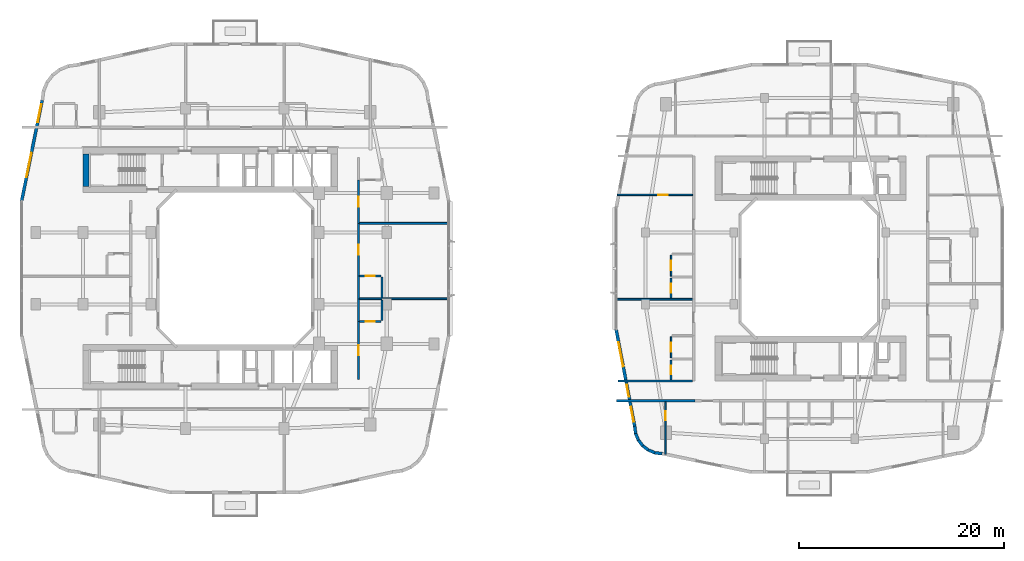
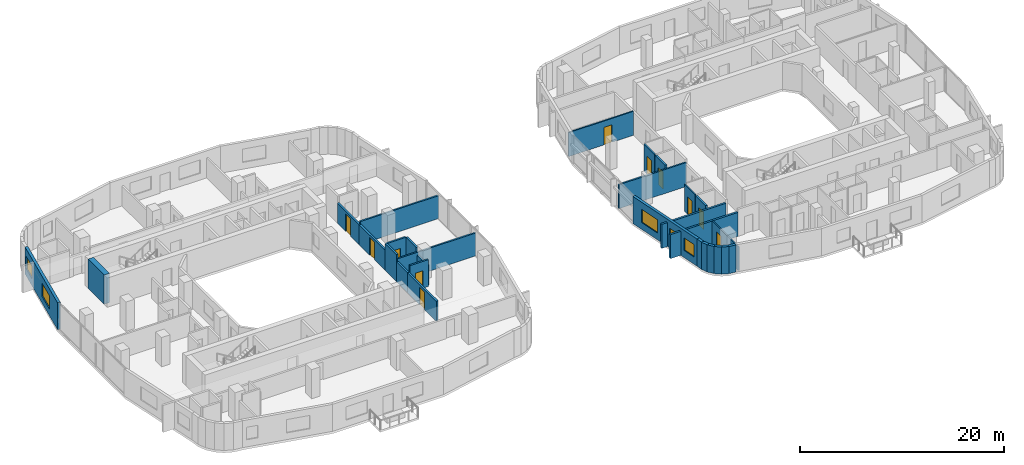
# One storey, part 10 of 22: 29 walls, 11 doors, 5 windows, 16 openings.
"""IFC4 building model written with IfcOpenShell, lengths in metres."""

from ifc_helpers import new_model, si_unit, derived_unit, direction, frame, frame_2d, origin, place, context, subcontext, project, spatial, rectangle, extrude, material, layer, layer_set, type_object, element, fill, save


model = new_model("IFC4")

# Units and contexts
model_context = context("Model", 3, precision=1e-05, world=origin(), true_north=direction((0.0, 1.0)))
body_context = subcontext(model_context, "Body", "Model", "MODEL_VIEW")
ifc_project = project(units=[si_unit("LENGTHUNIT", "METRE"), si_unit("AREAUNIT", "SQUARE_METRE"), si_unit("VOLUMEUNIT", "CUBIC_METRE"), si_unit("PLANEANGLEUNIT", "RADIAN"), si_unit("MASSUNIT", "GRAM", prefix="KILO"), derived_unit("THERMALTRANSMITTANCEUNIT", [(si_unit("POWERUNIT", "WATT"), 1), (si_unit("LENGTHUNIT", "METRE"), -2), (si_unit("THERMODYNAMICTEMPERATUREUNIT", "KELVIN"), -1)])], contexts=[model_context])

# Site, building, storey
site_placement = place(None, origin())
site = spatial("IfcSite", under=ifc_project, at=site_placement, CompositionType="ELEMENT")
building_placement = place(site_placement, origin())
building = spatial("IfcBuilding", under=site, at=building_placement, Name="Kivonza Crest Hotel", CompositionType="ELEMENT")
storey_placement = place(building_placement, frame((0.0, 0.0, 27.5)))
storey = spatial("IfcBuildingStorey", under=building, at=storey_placement, Name="L06", CompositionType="ELEMENT", Elevation=27.5)

# Walls
ifc_material_1 = material(Name="High-density acoustic masonry inter-tenancy wall", Category="masonry")
ifc_layer_1 = layer(ifc_material_1, 0.179931640625)
ifc_layer_set_1 = layer_set([ifc_layer_1], Name="High-density acoustic masonry inter-tenancy wall")
wall_type_1 = type_object("IfcWallType", Name="WL-ACOU-180", PredefinedType="SOLIDWALL", material=ifc_layer_set_1)
for number, where, z_axis, x_axis, name in (
    (1, (33.050048828125, 22.0390625, 0.0), (0.0, 0.0, 1.0), (1.0, 0.0, 0.0), "L06 interior partition WA-L06-T1E-DIV1"),
    (2, (33.050048828125, 29.383056640625, 0.0), (0.0, 0.0, 1.0), (1.0, 0.0, 0.0), "L06 interior partition WA-L06-T1E-DIV2"),
):
    element("IfcWall", number, at=place(storey_placement, frame(where, z_axis=z_axis, x_axis=x_axis)), inside=storey, type_object=wall_type_1, Name=name, PredefinedType="SOLIDWALL", context=body_context, shape_type="SweptSolid", body=[
        extrude(rectangle(XDim=8.889892578125, YDim=0.179931640625, at=frame_2d((4.44482421875, 0.0))), origin(), (0.0, 0.0, 1.0), 2.7451171875),
    ])
wall_1_placement = place(storey_placement, frame((58.06005859375, 22.0, 0.0), z_axis=(0.0, 0.0, 1.0), x_axis=(1.0, 0.0, 0.0)))
element("IfcWall", 3, at=wall_1_placement, inside=storey, type_object=wall_type_1, Name="L06 interior partition WA-L06-T2W-DIV1", PredefinedType="SOLIDWALL", context=body_context, shape_type="SweptSolid", body=[
    extrude(rectangle(XDim=7.639892578125, YDim=0.179931640625, at=frame_2d((3.81982421875, 0.0))), origin(), (0.0, 0.0, 1.0), 2.864990234375),
])
ifc_material_2 = material(Name="Autoclaved aerated concrete blockwork", Category="masonry")
ifc_layer_2 = layer(ifc_material_2, 0.219970703125)
ifc_layer_set_2 = layer_set([ifc_layer_2], Name="Autoclaved aerated concrete blockwork")
wall_type_2 = type_object("IfcWallType", Name="WL-ACOU-220", PredefinedType="SOLIDWALL", material=ifc_layer_set_2)
wall_2_placement = place(storey_placement, frame((33.050048828125, 19.839111328125, 0.0), z_axis=(0.0, 0.0, 1.0), x_axis=(0.0, 1.0, 0.0)))
element("IfcWall", 4, at=wall_2_placement, inside=storey, type_object=wall_type_2, Name="L06 interior partition WA-L06-E08-BCORR", PredefinedType="SOLIDWALL", context=body_context, shape_type="SweptSolid", body=[
    extrude(rectangle(XDim=2.199951171875, YDim=0.219970703125, at=frame_2d((1.10009765625, 0.0))), origin(), (0.0, 0.0, 1.0), 2.39501953125),
])

# Wall, opening, door
wall_3_placement = place(storey_placement, frame((33.050048828125, 14.199951171875, 0.0), z_axis=(0.0, 0.0, 1.0), x_axis=(0.0, 1.0, 0.0)))
wall_3 = element("IfcWall", 5, at=wall_3_placement, inside=storey, type_object=wall_type_2, Name="L06 interior partition WA-L06-E08-MCORR", PredefinedType="SOLIDWALL", context=body_context, shape_type="SweptSolid", body=[
    extrude(rectangle(XDim=5.63916015625, YDim=0.219970703125, at=frame_2d((2.819580078125, 0.0))), origin(), (0.0, 0.0, 1.0), 2.39501953125),
])
opening_1_placement = place(wall_3_placement, frame((2.343994140625, 0.0, 0.0)))
opening_1 = element("IfcOpeningElement", 6, at=opening_1_placement, cuts=wall_3, Name="Opening DU-60", PredefinedType="OPENING", context=body_context, shape_type="SweptSolid", body=[
    extrude(rectangle(XDim=0.949951171875, YDim=2.10009765625, at=frame_2d((0.47509765625, 1.050048828125))), frame((0.0, 0.1201171875, 0.0), z_axis=(0.0, -1.0, 0.0), x_axis=(1.0, 0.0, 0.0)), (0.0, 0.0, 1.0), 0.239990234375),
])
ifc_material_3 = material(Name="Hardwood timber oak", Category="wood")
door_type_1 = type_object("IfcDoorType", Name="DR-UNIT-950", OperationType="NOTDEFINED", PredefinedType="DOOR", material=ifc_material_3)
door_1_placement = place(opening_1_placement, frame((0.949951171875, 0.0, 0.0), z_axis=(0.0, 0.0, 1.0), x_axis=(-1.0, 0.0, 0.0)))
door_1 = element("IfcDoor", 7, at=door_1_placement, inside=storey, type_object=door_type_1, Name="L06 E08 guest unit entrance fire door", OperationType="SINGLE_SWING_RIGHT", OverallHeight=2.10009765625, OverallWidth=0.949951171875, PredefinedType="DOOR", context=body_context, shape_type="SweptSolid", body=[
    extrude(rectangle(XDim=0.949951171875, YDim=2.10009765625, at=frame_2d((0.47509765625, 1.050048828125))), frame((0.0, 0.02490234375, 0.0), z_axis=(0.0, -1.0, 0.0), x_axis=(1.0, 0.0, 0.0)), (0.0, 0.0, 1.0), 0.050048828125),
])
fill(opening_1, door_1)

# Wall
wall_4_placement = place(storey_placement, frame((33.050048828125, 22.0390625, 0.0), z_axis=(0.0, 0.0, 1.0), x_axis=(0.0, 1.0, 0.0)))
element("IfcWall", 8, at=wall_4_placement, inside=storey, type_object=wall_type_2, Name="L06 interior partition WA-L06-E09-BCORR", PredefinedType="SOLIDWALL", context=body_context, shape_type="SweptSolid", body=[
    extrude(rectangle(XDim=2.199951171875, YDim=0.219970703125, at=frame_2d((1.10009765625, 0.0))), origin(), (0.0, 0.0, 1.0), 3.219970703125),
])

# Wall, opening, door
wall_5_placement = place(storey_placement, frame((33.050048828125, 24.239013671875, 0.0), z_axis=(0.0, 0.0, 1.0), x_axis=(0.0, 1.0, 0.0)))
wall_5 = element("IfcWall", 9, at=wall_5_placement, inside=storey, type_object=wall_type_2, Name="L06 interior partition WA-L06-E09-MCORR", PredefinedType="SOLIDWALL", context=body_context, shape_type="SweptSolid", body=[
    extrude(rectangle(XDim=5.14404296875, YDim=0.219970703125, at=frame_2d((2.572021484375, 0.0))), origin(), (0.0, 0.0, 1.0), 2.39501953125),
])
opening_2_placement = place(wall_5_placement, frame((2.096923828125, 0.0, 0.0)))
opening_2 = element("IfcOpeningElement", 10, at=opening_2_placement, cuts=wall_5, Name="Opening DU-60", PredefinedType="OPENING", context=body_context, shape_type="SweptSolid", body=[
    extrude(rectangle(XDim=0.949951171875, YDim=2.10009765625, at=frame_2d((0.47509765625, 1.050048828125))), frame((0.0, 0.1201171875, 0.0), z_axis=(0.0, -1.0, 0.0), x_axis=(1.0, 0.0, 0.0)), (0.0, 0.0, 1.0), 0.239990234375),
])
door_2_placement = place(opening_2_placement, frame((0.949951171875, 0.0, 0.0), z_axis=(0.0, 0.0, 1.0), x_axis=(-1.0, 0.0, 0.0)))
door_2 = element("IfcDoor", 11, at=door_2_placement, inside=storey, type_object=door_type_1, Name="L06 E09 guest unit entrance fire door", OperationType="SINGLE_SWING_LEFT", OverallHeight=2.10009765625, OverallWidth=0.949951171875, PredefinedType="DOOR", context=body_context, shape_type="SweptSolid", body=[
    extrude(rectangle(XDim=0.949951171875, YDim=2.10009765625, at=frame_2d((0.47509765625, 1.050048828125))), frame((0.0, 0.02490234375, 0.0), z_axis=(0.0, -1.0, 0.0), x_axis=(1.0, 0.0, 0.0)), (0.0, 0.0, 1.0), 0.050048828125),
])
fill(opening_2, door_2)

wall_6_placement = place(storey_placement, frame((33.050048828125, 29.383056640625, 0.0), z_axis=(0.0, 0.0, 1.0), x_axis=(0.0, 1.0, 0.0)))
wall_6 = element("IfcWall", 12, at=wall_6_placement, inside=storey, type_object=wall_type_2, Name="L06 interior partition WA-L06-E10-MCORR", PredefinedType="SOLIDWALL", context=body_context, shape_type="SweptSolid", body=[
    extrude(rectangle(XDim=4.217041015625, YDim=0.219970703125, at=frame_2d((2.1083984375, 0.0))), origin(), (0.0, 0.0, 1.0), 2.39501953125),
])
opening_3_placement = place(wall_6_placement, frame((1.634033203125, 0.0, 0.0)))
opening_3 = element("IfcOpeningElement", 13, at=opening_3_placement, cuts=wall_6, Name="Opening DU-60", PredefinedType="OPENING", context=body_context, shape_type="SweptSolid", body=[
    extrude(rectangle(XDim=0.949951171875, YDim=2.10009765625, at=frame_2d((0.47509765625, 1.050048828125))), frame((0.0, 0.1201171875, 0.0), z_axis=(0.0, -1.0, 0.0), x_axis=(1.0, 0.0, 0.0)), (0.0, 0.0, 1.0), 0.239990234375),
])
door_3_placement = place(opening_3_placement, frame((0.949951171875, 0.0, 0.0), z_axis=(0.0, 0.0, 1.0), x_axis=(-1.0, 0.0, 0.0)))
door_3 = element("IfcDoor", 14, at=door_3_placement, inside=storey, type_object=door_type_1, Name="L06 E10 guest unit entrance fire door", OperationType="SINGLE_SWING_RIGHT", OverallHeight=2.10009765625, OverallWidth=0.949951171875, PredefinedType="DOOR", context=body_context, shape_type="SweptSolid", body=[
    extrude(rectangle(XDim=0.949951171875, YDim=2.10009765625, at=frame_2d((0.47509765625, 1.050048828125))), frame((0.0, 0.02490234375, 0.0), z_axis=(0.0, -1.0, 0.0), x_axis=(1.0, 0.0, 0.0)), (0.0, 0.0, 1.0), 0.050048828125),
])
fill(opening_3, door_3)

# Walls
wall_7_placement = place(storey_placement, frame((58.159912109375, 12.10009765625, 0.0), z_axis=(0.0, 0.0, 1.0), x_axis=(1.0, 0.0, 0.0)))
element("IfcWall", 15, at=wall_7_placement, inside=storey, type_object=wall_type_2, Name="L06 interior partition WA-L06-A03-LCORR", PredefinedType="SOLIDWALL", context=body_context, shape_type="SweptSolid", body=[
    extrude(rectangle(XDim=7.690185546875, YDim=0.219970703125, at=frame_2d((3.84521484375, 0.0))), origin(), (0.0, 0.0, 1.0), 2.864990234375),
])
wall_8_placement = place(storey_placement, frame((58.320068359375, 14.0400390625, 0.0), z_axis=(0.0, 0.0, 1.0), x_axis=(1.0, 0.0, 0.0)))
element("IfcWall", 16, at=wall_8_placement, inside=storey, type_object=wall_type_2, Name="L06 interior partition WA-L06-T2W-ENDS", PredefinedType="SOLIDWALL", context=body_context, shape_type="SweptSolid", body=[
    extrude(rectangle(XDim=7.280029296875, YDim=0.219970703125, at=frame_2d((3.64013671875, 0.0))), origin(), (0.0, 0.0, 1.0), 2.864990234375),
])
ifc_material_4 = material(Name="Concrete C60/75", Category="concrete")
ifc_layer_3 = layer(ifc_material_4, 0.60009765625)
ifc_layer_set_3 = layer_set([ifc_layer_3], Name="Concrete C60/75")
wall_type_3 = type_object("IfcWallType", Name="WL-CORE-600", PredefinedType="SHEAR", material=ifc_layer_set_3)
wall_9_placement = place(storey_placement, frame((6.5, 33.0, 0.0), z_axis=(0.0, 0.0, 1.0), x_axis=(0.0, 1.0, 0.0)))
element("IfcWall", 17, at=wall_9_placement, inside=storey, type_object=wall_type_3, Name="Core wall T1-N West L06", PredefinedType="SHEAR", context=body_context, shape_type="SweptSolid", body=[
    extrude(rectangle(XDim=3.159912109375, YDim=0.60009765625, at=frame_2d((1.580078125, 0.0))), origin(), (0.0, 0.0, 1.0), 3.5),
])

# Wall, openings, windows
ifc_material_5 = material(Name="Precast concrete C40/50", Category="concrete")
ifc_layer_4 = layer(ifc_material_5, 0.300048828125)
ifc_layer_set_4 = layer_set([ifc_layer_4], Name="Precast concrete C40/50")
wall_type_4 = type_object("IfcWallType", Name="WL-EXT-300", PredefinedType="STANDARD", material=ifc_layer_set_4)
wall_10_placement = place(storey_placement, frame((2.22900390625, 41.3779296875, 0.0), z_axis=(0.0, 0.0, 1.0), x_axis=(-0.199990901713, -0.979797754249, 0.0)))
wall_10 = element("IfcWall", 18, at=wall_10_placement, inside=storey, type_object=wall_type_4, Name="L06 T1 exterior insulated wall 34", PredefinedType="STANDARD", context=body_context, shape_type="SweptSolid", body=[
    extrude(rectangle(XDim=10.065185546875, YDim=0.300048828125, at=frame_2d((5.03271484375, 0.0))), origin(), (0.0, 0.0, 1.0), 3.219970703125),
])
opening_4_placement = place(wall_10_placement, frame((0.3779296875, 0.0, 0.85009765625)))
opening_4 = element("IfcOpeningElement", 19, at=opening_4_placement, cuts=wall_10, Name="Opening WN-03", PredefinedType="OPENING", context=body_context, shape_type="SweptSolid", body=[
    extrude(rectangle(XDim=1.800048828125, YDim=1.5, at=frame_2d((0.89990234375, 0.75))), frame((0.0, 0.16015625, 0.0), z_axis=(0.0, -1.0, 0.0), x_axis=(1.0, 0.0, 0.0)), (0.0, 0.0, 1.0), 0.320068359375),
])
opening_5_placement = place(wall_10_placement, frame((5.236083984375, 0.0, 0.800048828125)))
opening_5 = element("IfcOpeningElement", 20, at=opening_5_placement, cuts=wall_10, Name="Opening WN-05", PredefinedType="OPENING", context=body_context, shape_type="SweptSolid", body=[
    extrude(rectangle(XDim=2.39990234375, YDim=1.60009765625, at=frame_2d((1.199951171875, 0.800048828125))), frame((0.0, 0.16015625, 0.0), z_axis=(0.0, -1.0, 0.0), x_axis=(1.0, 0.0, 0.0)), (0.0, 0.0, 1.0), 0.320068359375),
])
ifc_material_6 = material(Name="Thermally broken bronze aluminium and low-E double glazing", Category="aluminium")
window_type_1 = type_object("IfcWindowType", Name="WN-180x150", PartitioningType="DOUBLE_PANEL_VERTICAL", PredefinedType="WINDOW", material=ifc_material_6)
window_1_placement = place(opening_4_placement, origin())
window_1 = element("IfcWindow", 21, at=window_1_placement, inside=storey, type_object=window_type_1, Name="L06 T1 facade window 34 bay 1", OverallHeight=1.5, OverallWidth=1.800048828125, PartitioningType="SINGLE_PANEL", PredefinedType="WINDOW", context=body_context, shape_type="SweptSolid", body=[
    extrude(rectangle(XDim=1.800048828125, YDim=1.5, at=frame_2d((0.89990234375, 0.75))), frame((0.0, 0.030029296875, 0.0), z_axis=(0.0, -1.0, 0.0), x_axis=(1.0, 0.0, 0.0)), (0.0, 0.0, 1.0), 0.06005859375),
])
fill(opening_4, window_1)
window_type_2 = type_object("IfcWindowType", Name="WN-240x160", PartitioningType="TRIPLE_PANEL_VERTICAL", PredefinedType="WINDOW", material=ifc_material_6)
window_2_placement = place(opening_5_placement, origin())
window_2 = element("IfcWindow", 22, at=window_2_placement, inside=storey, type_object=window_type_2, Name="L06 T1 facade window 34 bay 2", OverallHeight=1.60009765625, OverallWidth=2.39990234375, PartitioningType="SINGLE_PANEL", PredefinedType="WINDOW", context=body_context, shape_type="SweptSolid", body=[
    extrude(rectangle(XDim=2.39990234375, YDim=1.60009765625, at=frame_2d((1.199951171875, 0.800048828125))), frame((0.0, 0.030029296875, 0.0), z_axis=(0.0, -1.0, 0.0), x_axis=(1.0, 0.0, 0.0)), (0.0, 0.0, 1.0), 0.06005859375),
])
fill(opening_5, window_2)

# Walls
wall_11_placement = place(storey_placement, frame((59.947998046875, 9.626953125, 0.0), z_axis=(0.0, 0.0, 1.0), x_axis=(0.130255288807, -0.991480488834, 0.0)))
element("IfcWall", 23, at=wall_11_placement, inside=storey, type_object=wall_type_4, Name="L06 T2 exterior insulated wall 1", PredefinedType="STANDARD", context=body_context, shape_type="SweptSolid", body=[
    extrude(rectangle(XDim=0.72900390625, YDim=0.300048828125, at=frame_2d((0.364501953125, 0.0))), origin(), (0.0, 0.0, 1.0), 3.25),
])
for number, where, z_axis, x_axis, name in (
    (24, (60.02392578125, 8.955078125, 0.0), (0.0, 0.0, 1.0), (0.383546213491, -0.923521684703, 0.0), "L06 T2 exterior insulated wall 2"),
    (25, (60.279052734375, 8.31103515625, 0.0), (0.0, 0.0, 1.0), (0.608397189915, -0.79363269798, 0.0), "L06 T2 exterior insulated wall 3"),
    (26, (60.69091796875, 7.75390625, 0.0), (0.0, 0.0, 1.0), (0.79363269798, -0.608397189915, 0.0), "L06 T2 exterior insulated wall 4"),
    (27, (61.23388671875, 7.323974609375, 0.0), (0.0, 0.0, 1.0), (0.923685632463, -0.383151213466, 0.0), "L06 T2 exterior insulated wall 5"),
):
    element("IfcWall", number, at=place(storey_placement, frame(where, z_axis=z_axis, x_axis=x_axis)), inside=storey, type_object=wall_type_4, Name=name, PredefinedType="STANDARD", context=body_context, shape_type="SweptSolid", body=[
        extrude(rectangle(XDim=0.74609375, YDim=0.300048828125, at=frame_2d((0.373046875, 0.0))), origin(), (0.0, 0.0, 1.0), 3.25),
    ])
wall_12_placement = place(storey_placement, frame((61.868896484375, 7.047119140625, 0.0), z_axis=(0.0, 0.0, 1.0), x_axis=(0.991559404866, -0.129653178221, 0.0)))
element("IfcWall", 28, at=wall_12_placement, inside=storey, type_object=wall_type_4, Name="L06 T2 exterior insulated wall 6", PredefinedType="STANDARD", context=body_context, shape_type="SweptSolid", body=[
    extrude(rectangle(XDim=0.764404296875, YDim=0.300048828125, at=frame_2d((0.38232421875, 0.0))), origin(), (0.0, 0.0, 1.0), 3.25),
])

# Wall, openings, windows
wall_13_placement = place(storey_placement, frame((58.136962890625, 19.08203125, 0.0), z_axis=(0.0, 0.0, 1.0), x_axis=(0.188087874316, -0.982152203854, 0.0)))
wall_13 = element("IfcWall", 29, at=wall_13_placement, inside=storey, type_object=wall_type_4, Name="L06 T2 exterior insulated wall 36", PredefinedType="STANDARD", context=body_context, shape_type="SweptSolid", body=[
    extrude(rectangle(XDim=9.6337890625, YDim=0.300048828125, at=frame_2d((4.81689453125, 0.0))), origin(), (0.0, 0.0, 1.0), 3.25),
])
opening_6_placement = place(wall_13_placement, frame((1.305908203125, 0.0, 0.800048828125)))
opening_6 = element("IfcOpeningElement", 30, at=opening_6_placement, cuts=wall_13, Name="Opening WN-05", PredefinedType="OPENING", context=body_context, shape_type="SweptSolid", body=[
    extrude(rectangle(XDim=2.39990234375, YDim=1.60009765625, at=frame_2d((1.199951171875, 0.800048828125))), frame((0.0, 0.16015625, 0.0), z_axis=(0.0, -1.0, 0.0), x_axis=(1.0, 0.0, 0.0)), (0.0, 0.0, 1.0), 0.320068359375),
])
opening_7_placement = place(wall_13_placement, frame((5.52099609375, 0.0, 0.85009765625)))
opening_7 = element("IfcOpeningElement", 31, at=opening_7_placement, cuts=wall_13, Name="Opening WN-01", PredefinedType="OPENING", context=body_context, shape_type="SweptSolid", body=[
    extrude(rectangle(XDim=1.199951171875, YDim=1.5, at=frame_2d((0.60009765625, 0.75))), frame((0.0, 0.16015625, 0.0), z_axis=(0.0, -1.0, 0.0), x_axis=(1.0, 0.0, 0.0)), (0.0, 0.0, 1.0), 0.320068359375),
])
opening_8_placement = place(wall_13_placement, frame((7.681884765625, 0.0, 0.85009765625)))
opening_8 = element("IfcOpeningElement", 32, at=opening_8_placement, cuts=wall_13, Name="Opening WN-02", PredefinedType="OPENING", context=body_context, shape_type="SweptSolid", body=[
    extrude(rectangle(XDim=1.5, YDim=1.5, at=frame_2d((0.75, 0.75))), frame((0.0, 0.16015625, 0.0), z_axis=(0.0, -1.0, 0.0), x_axis=(1.0, 0.0, 0.0)), (0.0, 0.0, 1.0), 0.320068359375),
])
window_type_3 = type_object("IfcWindowType", Name="WN-120x150", PartitioningType="SINGLE_PANEL", PredefinedType="WINDOW", material=ifc_material_6)
window_3_placement = place(opening_7_placement, origin())
window_3 = element("IfcWindow", 33, at=window_3_placement, inside=storey, type_object=window_type_3, Name="L06 T2 facade window 36 bay 2", OverallHeight=1.5, OverallWidth=1.199951171875, PartitioningType="SINGLE_PANEL", PredefinedType="WINDOW", context=body_context, shape_type="SweptSolid", body=[
    extrude(rectangle(XDim=1.199951171875, YDim=1.5, at=frame_2d((0.60009765625, 0.75))), frame((0.0, 0.030029296875, 0.0), z_axis=(0.0, -1.0, 0.0), x_axis=(1.0, 0.0, 0.0)), (0.0, 0.0, 1.0), 0.06005859375),
])
fill(opening_7, window_3)
window_type_4 = type_object("IfcWindowType", Name="WN-150x150", PartitioningType="DOUBLE_PANEL_VERTICAL", PredefinedType="WINDOW", material=ifc_material_6)
window_4_placement = place(opening_8_placement, origin())
window_4 = element("IfcWindow", 34, at=window_4_placement, inside=storey, type_object=window_type_4, Name="L06 T2 facade window 36 bay 3", OverallHeight=1.5, OverallWidth=1.5, PartitioningType="SINGLE_PANEL", PredefinedType="WINDOW", context=body_context, shape_type="SweptSolid", body=[
    extrude(rectangle(XDim=1.5, YDim=1.5, at=frame_2d((0.75, 0.75))), frame((0.0, 0.030029296875, 0.0), z_axis=(0.0, -1.0, 0.0), x_axis=(1.0, 0.0, 0.0)), (0.0, 0.0, 1.0), 0.06005859375),
])
fill(opening_8, window_4)
window_5_placement = place(opening_6_placement, origin())
window_5 = element("IfcWindow", 35, at=window_5_placement, inside=storey, type_object=window_type_2, Name="L06 T2 facade window 36 bay 1", OverallHeight=1.60009765625, OverallWidth=2.39990234375, PartitioningType="SINGLE_PANEL", PredefinedType="WINDOW", context=body_context, shape_type="SweptSolid", body=[
    extrude(rectangle(XDim=2.39990234375, YDim=1.60009765625, at=frame_2d((1.199951171875, 0.800048828125))), frame((0.0, 0.030029296875, 0.0), z_axis=(0.0, -1.0, 0.0), x_axis=(1.0, 0.0, 0.0)), (0.0, 0.0, 1.0), 0.06005859375),
])
fill(opening_6, window_5)

# Wall, opening, door
ifc_material_7 = material(Name="Twin-stud acoustic gypsum board partition", Category="gypsum")
ifc_layer_5 = layer(ifc_material_7, 0.14990234375)
ifc_layer_set_5 = layer_set([ifc_layer_5], Name="Twin-stud acoustic gypsum board partition")
wall_type_5 = type_object("IfcWallType", Name="WL-PART-150", PredefinedType="PARTITIONING", material=ifc_layer_set_5)
wall_14_placement = place(storey_placement, frame((62.9599609375, 6.886962890625, 0.0), z_axis=(0.0, 0.0, 1.0), x_axis=(0.0, 1.0, 0.0)))
wall_14 = element("IfcWall", 36, at=wall_14_placement, inside=storey, type_object=wall_type_5, Name="L06 interior partition WP-L06-A03-BDW1", PredefinedType="PARTITIONING", context=body_context, shape_type="SweptSolid", body=[
    extrude(rectangle(XDim=5.113037109375, YDim=0.14990234375, at=frame_2d((2.556640625, 0.0))), origin(), (0.0, 0.0, 1.0), 2.864990234375),
])
opening_9_placement = place(wall_14_placement, frame((3.31005859375, 0.0, 0.0)))
opening_9 = element("IfcOpeningElement", 37, at=opening_9_placement, cuts=wall_14, Name="Opening DI-90", PredefinedType="OPENING", context=body_context, shape_type="SweptSolid", body=[
    extrude(rectangle(XDim=0.89990234375, YDim=2.10009765625, at=frame_2d((0.449951171875, 1.050048828125))), frame((0.0, 0.0849609375, 0.0), z_axis=(0.0, -1.0, 0.0), x_axis=(1.0, 0.0, 0.0)), (0.0, 0.0, 1.0), 0.169921875),
])
door_type_2 = type_object("IfcDoorType", Name="DR-INT-900", OperationType="NOTDEFINED", PredefinedType="DOOR", material=ifc_material_3)
door_4_placement = place(opening_9_placement, origin())
door_4 = element("IfcDoor", 38, at=door_4_placement, inside=storey, type_object=door_type_2, Name="L06 A03 bedroom 1 door", OperationType="SINGLE_SWING_RIGHT", OverallHeight=2.10009765625, OverallWidth=0.89990234375, PredefinedType="DOOR", context=body_context, shape_type="SweptSolid", body=[
    extrude(rectangle(XDim=0.89990234375, YDim=2.10009765625, at=frame_2d((0.449951171875, 1.050048828125))), frame((0.0, 0.02490234375, 0.0), z_axis=(0.0, -1.0, 0.0), x_axis=(1.0, 0.0, 0.0)), (0.0, 0.0, 1.0), 0.050048828125),
])
fill(opening_9, door_4)

wall_15_placement = place(storey_placement, frame((63.5, 16.2900390625, 0.0), z_axis=(0.0, 0.0, 1.0), x_axis=(0.0, 1.0, 0.0)))
wall_15 = element("IfcWall", 39, at=wall_15_placement, inside=storey, type_object=wall_type_5, Name="L06 interior partition WP-L06-A05-KSVC", PredefinedType="PARTITIONING", context=body_context, shape_type="SweptSolid", body=[
    extrude(rectangle(XDim=2.050048828125, YDim=0.14990234375, at=frame_2d((1.02490234375, 0.0))), origin(), (0.0, 0.0, 1.0), 3.219970703125),
])
opening_10_placement = place(wall_15_placement, frame((0.574951171875, 0.0, 0.0)))
opening_10 = element("IfcOpeningElement", 40, at=opening_10_placement, cuts=wall_15, Name="Opening DI-90", PredefinedType="OPENING", context=body_context, shape_type="SweptSolid", body=[
    extrude(rectangle(XDim=0.89990234375, YDim=2.10009765625, at=frame_2d((0.449951171875, 1.050048828125))), frame((0.0, 0.0849609375, 0.0), z_axis=(0.0, -1.0, 0.0), x_axis=(1.0, 0.0, 0.0)), (0.0, 0.0, 1.0), 0.169921875),
])
door_5_placement = place(opening_10_placement, origin())
door_5 = element("IfcDoor", 41, at=door_5_placement, inside=storey, type_object=door_type_2, Name="L06 A05 apartment kitchen door", OperationType="SINGLE_SWING_LEFT", OverallHeight=2.10009765625, OverallWidth=0.89990234375, PredefinedType="DOOR", context=body_context, shape_type="SweptSolid", body=[
    extrude(rectangle(XDim=0.89990234375, YDim=2.10009765625, at=frame_2d((0.449951171875, 1.050048828125))), frame((0.0, 0.02490234375, 0.0), z_axis=(0.0, -1.0, 0.0), x_axis=(1.0, 0.0, 0.0)), (0.0, 0.0, 1.0), 0.050048828125),
])
fill(opening_10, door_5)

wall_16_placement = place(storey_placement, frame((58.260009765625, 32.159912109375, 0.0), z_axis=(0.0, 0.0, 1.0), x_axis=(1.0, 0.0, 0.0)))
wall_16 = element("IfcWall", 42, at=wall_16_placement, inside=storey, type_object=wall_type_5, Name="L06 interior partition WP-L06-A06-BD1", PredefinedType="PARTITIONING", context=body_context, shape_type="SweptSolid", body=[
    extrude(rectangle(XDim=7.340087890625, YDim=0.14990234375, at=frame_2d((3.669921875, 0.0))), origin(), (0.0, 0.0, 1.0), 2.864990234375),
])
opening_11_placement = place(wall_16_placement, frame((3.989990234375, 0.0, 0.0)))
opening_11 = element("IfcOpeningElement", 43, at=opening_11_placement, cuts=wall_16, Name="Opening DI-90", PredefinedType="OPENING", context=body_context, shape_type="SweptSolid", body=[
    extrude(rectangle(XDim=0.89990234375, YDim=2.10009765625, at=frame_2d((0.449951171875, 1.050048828125))), frame((0.0, 0.0849609375, 0.0), z_axis=(0.0, -1.0, 0.0), x_axis=(1.0, 0.0, 0.0)), (0.0, 0.0, 1.0), 0.169921875),
])
door_6_placement = place(opening_11_placement, origin())
door_6 = element("IfcDoor", 44, at=door_6_placement, inside=storey, type_object=door_type_2, Name="L06 A06 bedroom door", OperationType="SINGLE_SWING_LEFT", OverallHeight=2.10009765625, OverallWidth=0.89990234375, PredefinedType="DOOR", context=body_context, shape_type="SweptSolid", body=[
    extrude(rectangle(XDim=0.89990234375, YDim=2.10009765625, at=frame_2d((0.449951171875, 1.050048828125))), frame((0.0, 0.02490234375, 0.0), z_axis=(0.0, -1.0, 0.0), x_axis=(1.0, 0.0, 0.0)), (0.0, 0.0, 1.0), 0.050048828125),
])
fill(opening_11, door_6)

wall_17_placement = place(storey_placement, frame((63.5, 24.25, 0.0), z_axis=(0.0, 0.0, 1.0), x_axis=(0.0, 1.0, 0.0)))
wall_17 = element("IfcWall", 45, at=wall_17_placement, inside=storey, type_object=wall_type_5, Name="L06 interior partition WP-L06-A06-KSVC", PredefinedType="PARTITIONING", context=body_context, shape_type="SweptSolid", body=[
    extrude(rectangle(XDim=2.050048828125, YDim=0.14990234375, at=frame_2d((1.02490234375, 0.0))), origin(), (0.0, 0.0, 1.0), 3.219970703125),
])
opening_12_placement = place(wall_17_placement, frame((0.574951171875, 0.0, 0.0)))
opening_12 = element("IfcOpeningElement", 46, at=opening_12_placement, cuts=wall_17, Name="Opening DI-90", PredefinedType="OPENING", context=body_context, shape_type="SweptSolid", body=[
    extrude(rectangle(XDim=0.89990234375, YDim=2.10009765625, at=frame_2d((0.449951171875, 1.050048828125))), frame((0.0, 0.0849609375, 0.0), z_axis=(0.0, -1.0, 0.0), x_axis=(1.0, 0.0, 0.0)), (0.0, 0.0, 1.0), 0.169921875),
])
door_7_placement = place(opening_12_placement, origin())
door_7 = element("IfcDoor", 47, at=door_7_placement, inside=storey, type_object=door_type_2, Name="L06 A06 apartment kitchen door", OperationType="SINGLE_SWING_RIGHT", OverallHeight=2.10009765625, OverallWidth=0.89990234375, PredefinedType="DOOR", context=body_context, shape_type="SweptSolid", body=[
    extrude(rectangle(XDim=0.89990234375, YDim=2.10009765625, at=frame_2d((0.449951171875, 1.050048828125))), frame((0.0, 0.02490234375, 0.0), z_axis=(0.0, -1.0, 0.0), x_axis=(1.0, 0.0, 0.0)), (0.0, 0.0, 1.0), 0.050048828125),
])
fill(opening_12, door_7)

ifc_material_8 = material(Name="Moisture-resistant plumbing chase partition wall", Category="gypsum")
ifc_layer_6 = layer(ifc_material_8, 0.199951171875)
ifc_layer_set_6 = layer_set([ifc_layer_6], Name="Moisture-resistant plumbing chase partition wall")
wall_type_6 = type_object("IfcWallType", Name="WL-PLUMB-200", PredefinedType="PLUMBINGWALL", material=ifc_layer_set_6)
wall_18_placement = place(storey_placement, frame((33.14990234375, 19.839111328125, 0.0), z_axis=(0.0, 0.0, 1.0), x_axis=(1.0, 0.0, 0.0)))
wall_18 = element("IfcWall", 48, at=wall_18_placement, inside=storey, type_object=wall_type_6, Name="L06 interior partition WW-L06-E08-BH", PredefinedType="PLUMBINGWALL", context=body_context, shape_type="SweptSolid", body=[
    extrude(rectangle(XDim=2.10009765625, YDim=0.199951171875, at=frame_2d((1.050048828125, 0.0))), origin(), (0.0, 0.0, 1.0), 3.219970703125),
])
opening_13_placement = place(wall_18_placement, frame((0.625, 0.0, 0.0)))
opening_13 = element("IfcOpeningElement", 49, at=opening_13_placement, cuts=wall_18, Name="Opening DI-85", PredefinedType="OPENING", context=body_context, shape_type="SweptSolid", body=[
    extrude(rectangle(XDim=0.85009765625, YDim=2.10009765625, at=frame_2d((0.425048828125, 1.050048828125))), frame((0.0, 0.10986328125, 0.0), z_axis=(0.0, -1.0, 0.0), x_axis=(1.0, 0.0, 0.0)), (0.0, 0.0, 1.0), 0.219970703125),
])
door_type_3 = type_object("IfcDoorType", Name="DR-INT-850", OperationType="NOTDEFINED", PredefinedType="DOOR", material=ifc_material_3)
door_8_placement = place(opening_13_placement, frame((0.85009765625, 0.0, 0.0), z_axis=(0.0, 0.0, 1.0), x_axis=(-1.0, 0.0, 0.0)))
door_8 = element("IfcDoor", 50, at=door_8_placement, inside=storey, type_object=door_type_3, Name="L06 E08 en-suite bathroom door", OperationType="SINGLE_SWING_LEFT", OverallHeight=2.10009765625, OverallWidth=0.85009765625, PredefinedType="DOOR", context=body_context, shape_type="SweptSolid", body=[
    extrude(rectangle(XDim=0.85009765625, YDim=2.10009765625, at=frame_2d((0.425048828125, 1.050048828125))), frame((0.0, 0.02490234375, 0.0), z_axis=(0.0, -1.0, 0.0), x_axis=(1.0, 0.0, 0.0)), (0.0, 0.0, 1.0), 0.050048828125),
])
fill(opening_13, door_8)

# Wall
wall_19_placement = place(storey_placement, frame((35.35009765625, 19.93896484375, 0.0), z_axis=(0.0, 0.0, 1.0), x_axis=(0.0, 1.0, 0.0)))
element("IfcWall", 51, at=wall_19_placement, inside=storey, type_object=wall_type_6, Name="L06 interior partition WW-L06-E08-BV", PredefinedType="PLUMBINGWALL", context=body_context, shape_type="SweptSolid", body=[
    extrude(rectangle(XDim=2.0, YDim=0.199951171875, at=frame_2d((1.0, 0.0))), origin(), (0.0, 0.0, 1.0), 2.39501953125),
])

# Wall, opening, door
wall_20_placement = place(storey_placement, frame((33.14990234375, 24.239013671875, 0.0), z_axis=(0.0, 0.0, 1.0), x_axis=(1.0, 0.0, 0.0)))
wall_20 = element("IfcWall", 52, at=wall_20_placement, inside=storey, type_object=wall_type_6, Name="L06 interior partition WW-L06-E09-BH", PredefinedType="PLUMBINGWALL", context=body_context, shape_type="SweptSolid", body=[
    extrude(rectangle(XDim=2.10009765625, YDim=0.199951171875, at=frame_2d((1.050048828125, 0.0))), origin(), (0.0, 0.0, 1.0), 3.219970703125),
])
opening_14_placement = place(wall_20_placement, frame((0.625, 0.0, 0.0)))
opening_14 = element("IfcOpeningElement", 53, at=opening_14_placement, cuts=wall_20, Name="Opening DI-85", PredefinedType="OPENING", context=body_context, shape_type="SweptSolid", body=[
    extrude(rectangle(XDim=0.85009765625, YDim=2.10009765625, at=frame_2d((0.425048828125, 1.050048828125))), frame((0.0, 0.10986328125, 0.0), z_axis=(0.0, -1.0, 0.0), x_axis=(1.0, 0.0, 0.0)), (0.0, 0.0, 1.0), 0.219970703125),
])
door_9_placement = place(opening_14_placement, origin())
door_9 = element("IfcDoor", 54, at=door_9_placement, inside=storey, type_object=door_type_3, Name="L06 E09 en-suite bathroom door", OperationType="SINGLE_SWING_RIGHT", OverallHeight=2.10009765625, OverallWidth=0.85009765625, PredefinedType="DOOR", context=body_context, shape_type="SweptSolid", body=[
    extrude(rectangle(XDim=0.85009765625, YDim=2.10009765625, at=frame_2d((0.425048828125, 1.050048828125))), frame((0.0, 0.02490234375, 0.0), z_axis=(0.0, -1.0, 0.0), x_axis=(1.0, 0.0, 0.0)), (0.0, 0.0, 1.0), 0.050048828125),
])
fill(opening_14, door_9)

# Wall
wall_21_placement = place(storey_placement, frame((35.35009765625, 22.138916015625, 0.0), z_axis=(0.0, 0.0, 1.0), x_axis=(0.0, 1.0, 0.0)))
element("IfcWall", 55, at=wall_21_placement, inside=storey, type_object=wall_type_6, Name="L06 interior partition WW-L06-E09-BV", PredefinedType="PLUMBINGWALL", context=body_context, shape_type="SweptSolid", body=[
    extrude(rectangle(XDim=2.0, YDim=0.199951171875, at=frame_2d((1.0, 0.0))), origin(), (0.0, 0.0, 1.0), 3.219970703125),
])

# Wall, opening, door
wall_22_placement = place(storey_placement, frame((63.5, 14.139892578125, 0.0), z_axis=(0.0, 0.0, 1.0), x_axis=(0.0, 1.0, 0.0)))
wall_22 = element("IfcWall", 56, at=wall_22_placement, inside=storey, type_object=wall_type_6, Name="L06 interior partition WW-L06-A05-BSVC", PredefinedType="PLUMBINGWALL", context=body_context, shape_type="SweptSolid", body=[
    extrude(rectangle(XDim=1.9501953125, YDim=0.199951171875, at=frame_2d((0.97509765625, 0.0))), origin(), (0.0, 0.0, 1.0), 3.219970703125),
])
opening_15_placement = place(wall_22_placement, frame((0.550048828125, 0.0, 0.0)))
opening_15 = element("IfcOpeningElement", 57, at=opening_15_placement, cuts=wall_22, Name="Opening DI-85", PredefinedType="OPENING", context=body_context, shape_type="SweptSolid", body=[
    extrude(rectangle(XDim=0.85009765625, YDim=2.10009765625, at=frame_2d((0.425048828125, 1.050048828125))), frame((0.0, 0.10986328125, 0.0), z_axis=(0.0, -1.0, 0.0), x_axis=(1.0, 0.0, 0.0)), (0.0, 0.0, 1.0), 0.219970703125),
])
door_10_placement = place(opening_15_placement, origin())
door_10 = element("IfcDoor", 58, at=door_10_placement, inside=storey, type_object=door_type_3, Name="L06 A05 apartment bathroom door", OperationType="SINGLE_SWING_RIGHT", OverallHeight=2.10009765625, OverallWidth=0.85009765625, PredefinedType="DOOR", context=body_context, shape_type="SweptSolid", body=[
    extrude(rectangle(XDim=0.85009765625, YDim=2.10009765625, at=frame_2d((0.425048828125, 1.050048828125))), frame((0.0, 0.02490234375, 0.0), z_axis=(0.0, -1.0, 0.0), x_axis=(1.0, 0.0, 0.0)), (0.0, 0.0, 1.0), 0.050048828125),
])
fill(opening_15, door_10)

wall_23_placement = place(storey_placement, frame((63.5, 22.10009765625, 0.0), z_axis=(0.0, 0.0, 1.0), x_axis=(0.0, 1.0, 0.0)))
wall_23 = element("IfcWall", 59, at=wall_23_placement, inside=storey, type_object=wall_type_6, Name="L06 interior partition WW-L06-A06-BSVC", PredefinedType="PLUMBINGWALL", context=body_context, shape_type="SweptSolid", body=[
    extrude(rectangle(XDim=1.949951171875, YDim=0.199951171875, at=frame_2d((0.97509765625, 0.0))), origin(), (0.0, 0.0, 1.0), 3.219970703125),
])
opening_16_placement = place(wall_23_placement, frame((0.550048828125, 0.0, 0.0)))
opening_16 = element("IfcOpeningElement", 60, at=opening_16_placement, cuts=wall_23, Name="Opening DI-85", PredefinedType="OPENING", context=body_context, shape_type="SweptSolid", body=[
    extrude(rectangle(XDim=0.85009765625, YDim=2.10009765625, at=frame_2d((0.425048828125, 1.050048828125))), frame((0.0, 0.10986328125, 0.0), z_axis=(0.0, -1.0, 0.0), x_axis=(1.0, 0.0, 0.0)), (0.0, 0.0, 1.0), 0.219970703125),
])
door_11_placement = place(opening_16_placement, origin())
door_11 = element("IfcDoor", 61, at=door_11_placement, inside=storey, type_object=door_type_3, Name="L06 A06 apartment bathroom door", OperationType="SINGLE_SWING_LEFT", OverallHeight=2.10009765625, OverallWidth=0.85009765625, PredefinedType="DOOR", context=body_context, shape_type="SweptSolid", body=[
    extrude(rectangle(XDim=0.85009765625, YDim=2.10009765625, at=frame_2d((0.425048828125, 1.050048828125))), frame((0.0, 0.02490234375, 0.0), z_axis=(0.0, -1.0, 0.0), x_axis=(1.0, 0.0, 0.0)), (0.0, 0.0, 1.0), 0.050048828125),
])
fill(opening_16, door_11)

save(model, "model.ifc")
